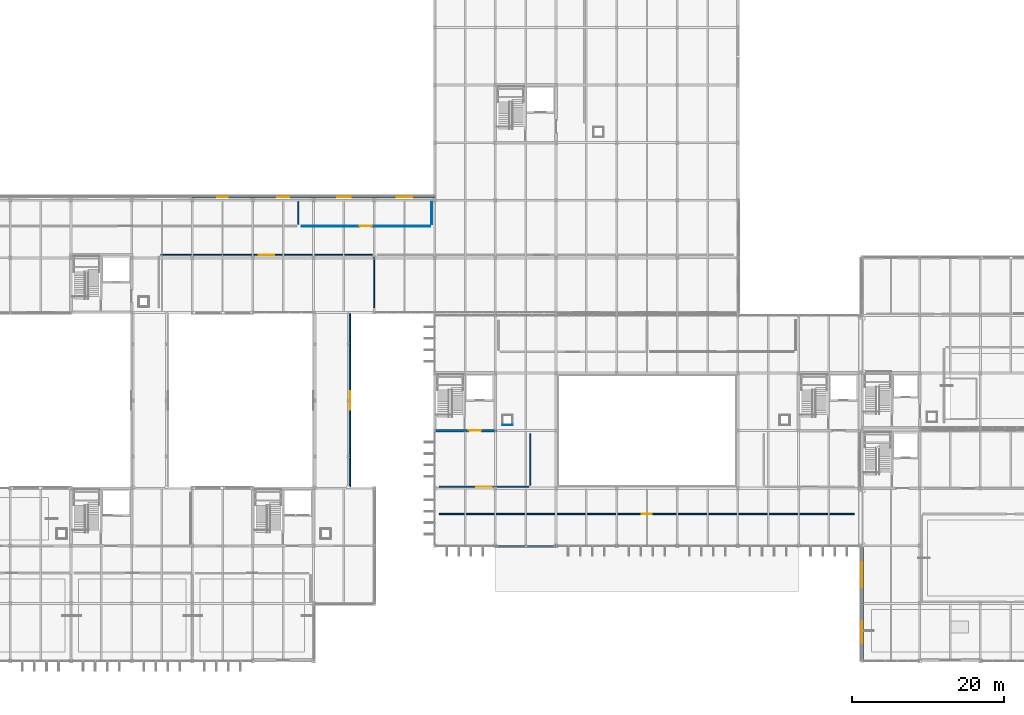
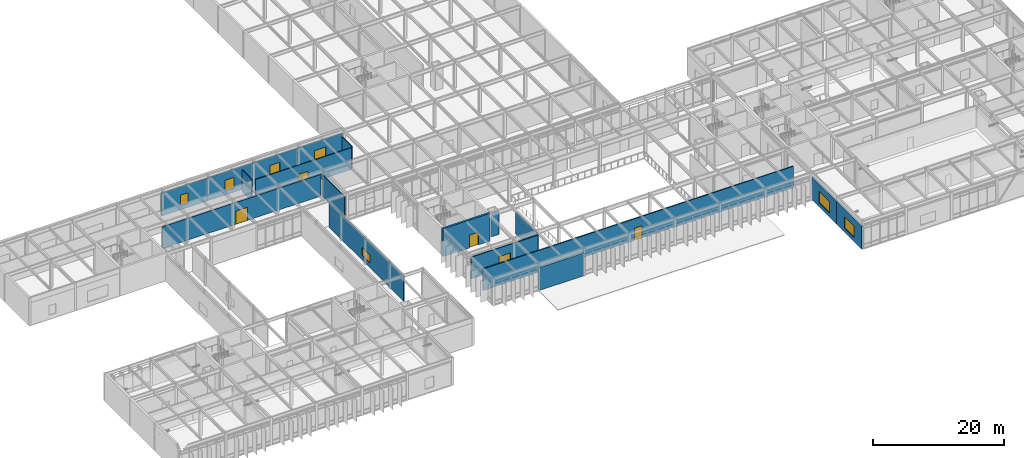
# One storey, part 72 of 94: 18 walls, 7 windows, 5 doors, 12 openings.
"""IFC4 building model written with IfcOpenShell, lengths in metres."""

import ifcopenshell
import ifcopenshell.guid

model = None  # the IFC model being written
_history = None  # IfcOwnerHistory: only IFC2X3 demands one
_inside = {}  # id of a spatial element -> (the spatial element, [elements in it])
_under = {}  # id of a project, library or spatial element -> (it, [spatial elements below it])
_declared = {}  # id of a project -> (the project, [libraries it declares])
_typed = {}  # id of a type object -> (the type object, [elements of that type])
_made_of = {}  # id of a material, layer set ... -> (it, [elements and type objects made of it])


def new_model(schema):
    """Start an empty IFC model of exactly this schema.

    Asked for "IFC4X3", IfcOpenShell would pick the latest addendum, in which some entities
    have other attributes; the version numbers below select the first issue.
    IFC2X3 requires an IfcOwnerHistory on every rooted entity: one is made here for all.
    """
    global model, _history
    if schema == "IFC4X3":
        model = ifcopenshell.file(schema_version=(4, 3, 0, 0))
    else:
        model = ifcopenshell.file(schema=schema)
    _inside.clear()
    _under.clear()
    _declared.clear()
    _typed.clear()
    _made_of.clear()
    _history = None
    if model.schema == "IFC2X3":
        org = make("IfcOrganization", Name="unknown")
        user = make(
            "IfcPersonAndOrganization",
            ThePerson=make("IfcPerson", FamilyName="unknown"),
            TheOrganization=org,
        )
        app = make(
            "IfcApplication",
            ApplicationDeveloper=org,
            Version="unknown",
            ApplicationFullName="unknown",
            ApplicationIdentifier="unknown",
        )
        _history = make(
            "IfcOwnerHistory",
            OwningUser=user,
            OwningApplication=app,
            ChangeAction="ADDED",
            CreationDate=0,
        )
    return model


def make(cls, **values):
    """One entity of the class cls with the attributes given. An attribute that is None is left unset."""
    return model.create_entity(
        cls, **{name: value for name, value in values.items() if value is not None}
    )


def rooted(cls, **values):
    """An entity with a GlobalId (a new one), such as an element, a storey or a relation."""
    return make(cls, GlobalId=ifcopenshell.guid.new(), OwnerHistory=_history, **values)


def si_unit(unit_type, name, prefix=None):
    """IfcSIUnit, for example si_unit("LENGTHUNIT", "METRE", prefix="MILLI")."""
    return make("IfcSIUnit", UnitType=unit_type, Prefix=prefix, Name=name)


def assignment(units):
    """IfcUnitAssignment: the units of a project."""
    return None if units is None else make("IfcUnitAssignment", Units=units)


def point(xyz):
    """IfcCartesianPoint."""
    return None if xyz is None else make("IfcCartesianPoint", Coordinates=xyz)


def direction(xyz):
    """IfcDirection."""
    return None if xyz is None else make("IfcDirection", DirectionRatios=xyz)


def frame(location, z_axis=None, x_axis=None):
    """IfcAxis2Placement3D, a coordinate frame: its origin and axes. An axis left out is left unset."""
    return make(
        "IfcAxis2Placement3D",
        Location=point(location),
        Axis=direction(z_axis),
        RefDirection=direction(x_axis),
    )


def frame_2d(location, x_axis=None):
    """IfcAxis2Placement2D, a coordinate frame in the plane: its origin and x axis."""
    return make(
        "IfcAxis2Placement2D", Location=point(location), RefDirection=direction(x_axis)
    )


def origin():
    """The frame at (0, 0, 0) with its axes left unset."""
    return frame((0.0, 0.0, 0.0))


def place(relative_to, where):
    """IfcLocalPlacement: puts the frame where relative to a parent placement (None: the world)."""
    return make(
        "IfcLocalPlacement", PlacementRelTo=relative_to, RelativePlacement=where
    )


def context(
    kind, dimensions, precision=None, world=None, true_north=None, identifier=None
):
    """IfcGeometricRepresentationContext, for example the 3D "Model" context."""
    return make(
        "IfcGeometricRepresentationContext",
        ContextIdentifier=identifier,
        ContextType=kind,
        CoordinateSpaceDimension=dimensions,
        Precision=precision,
        WorldCoordinateSystem=world,
        TrueNorth=true_north,
    )


def subcontext(parent, identifier, kind, view, scale=None):
    """IfcGeometricRepresentationSubContext, for example "Body" below "Model"."""
    return make(
        "IfcGeometricRepresentationSubContext",
        ContextIdentifier=identifier,
        ContextType=kind,
        ParentContext=parent,
        TargetScale=scale,
        TargetView=view,
    )


def project(units=None, contexts=None):
    """IfcProject with its units and contexts."""
    return rooted(
        "IfcProject",
        Name="project",
        RepresentationContexts=contexts,
        UnitsInContext=assignment(units),
    )


def spatial(cls, under=None, at=None, **own):
    """A site, building, storey or space (cls), placed at a placement, below another one or the project."""
    s = rooted(cls, ObjectPlacement=at, **own)
    if under is not None:
        _under.setdefault(under.id(), (under, []))[1].append(s)
    return s


def profile(cls, at=None, kind="AREA", **sizes):
    """A parametric profile (cls). Its sizes go by their IFC names, for example OverallWidth=200.0."""
    return make(cls, ProfileType=kind, Position=at, **sizes)


def rectangle(**sizes):
    """IfcRectangleProfileDef."""
    return profile("IfcRectangleProfileDef", **sizes)


def extrude(swept, where, along, depth):
    """IfcExtrudedAreaSolid: the profile swept, set in the frame where, extruded along a direction by depth."""
    return make(
        "IfcExtrudedAreaSolid",
        SweptArea=swept,
        Position=where,
        ExtrudedDirection=direction(along),
        Depth=depth,
    )


def shape(context_of_items, identifier, shape_type, items):
    """IfcShapeRepresentation: the items that make up one representation, for example the "Body"."""
    return make(
        "IfcShapeRepresentation",
        ContextOfItems=context_of_items,
        RepresentationIdentifier=identifier,
        RepresentationType=shape_type,
        Items=items,
    )


def material(Name=None, Category=None):
    """IfcMaterial."""
    return make("IfcMaterial", Name=Name, Category=Category)


def layer(
    of_material, thickness, ventilated=None, Name=None, Category=None, Priority=None
):
    """IfcMaterialLayer: one layer of a wall or slab, of a material (None: an air gap)."""
    return make(
        "IfcMaterialLayer",
        Material=of_material,
        LayerThickness=thickness,
        IsVentilated=ventilated,
        Name=Name,
        Category=Category,
        Priority=Priority,
    )


def layer_set(layers, Name=None):
    """IfcMaterialLayerSet."""
    return make("IfcMaterialLayerSet", MaterialLayers=layers, LayerSetName=Name)


def made_of(thing, what):
    """Note that an element or type object is made of a material, layer set ...; save() writes the relation."""
    if what is not None:
        _made_of.setdefault(what.id(), (what, []))[1].append(thing)
    return thing


def type_object(cls, material=None, **own):
    """A type object (cls), such as IfcWallType, which elements share."""
    return made_of(rooted(cls, **own), material)


def element(
    cls,
    number,
    at=None,
    inside=None,
    cuts=None,
    type_object=None,
    material=None,
    context=None,
    identifier="Body",
    shape_type=None,
    held_by="IfcProductDefinitionShape",
    body=None,
    shapes=None,
    **own,
):
    """One element of the class cls, such as IfcWall. Its Tag is "e" and its number.

    at: its placement. inside: the storey or other place that contains it. cuts: it is an
    opening in that element (IfcRelVoidsElement). A single representation is given by context,
    identifier, shape_type and body (its items); several are given by shapes. held_by: the class
    of the entity that holds the representations. save() writes the other relations.
    """
    e = rooted(cls, Tag="e%d" % number, ObjectPlacement=at, **own)
    if body is not None:
        shapes = [shape(context, identifier, shape_type, body)]
    if shapes is not None:
        e.Representation = make(held_by, Representations=shapes)
    if inside is not None:
        _inside.setdefault(inside.id(), (inside, []))[1].append(e)
    if cuts is not None:
        rooted(
            "IfcRelVoidsElement", RelatingBuildingElement=cuts, RelatedOpeningElement=e
        )
    if type_object is not None:
        _typed.setdefault(type_object.id(), (type_object, []))[1].append(e)
    return made_of(e, material)


def fill(opening, filler):
    """IfcRelFillsElement: the door or window that sits in an opening."""
    return rooted(
        "IfcRelFillsElement",
        RelatingOpeningElement=opening,
        RelatedBuildingElement=filler,
    )


def aggregate(whole, parts):
    """IfcRelAggregates: a whole, such as a stair, and the parts it consists of."""
    return rooted("IfcRelAggregates", RelatingObject=whole, RelatedObjects=parts)


def save(model, path):
    """Write the relations noted so far, then the file.

    IfcRelAggregates (storeys below a building ...), IfcRelContainedInSpatialStructure (elements
    in a storey), IfcRelDefinesByType, IfcRelAssociatesMaterial and IfcRelDeclares: one each for
    every whole, place, type object, material and project.
    """
    for whole, parts in _under.values():
        aggregate(whole, parts)
    for where, things in _inside.values():
        rooted(
            "IfcRelContainedInSpatialStructure",
            RelatedElements=things,
            RelatingStructure=where,
        )
    for kind, things in _typed.values():
        rooted("IfcRelDefinesByType", RelatedObjects=things, RelatingType=kind)
    for what, things in _made_of.values():
        rooted("IfcRelAssociatesMaterial", RelatedObjects=things, RelatingMaterial=what)
    for by, libraries in _declared.values():
        rooted("IfcRelDeclares", RelatingContext=by, RelatedDefinitions=libraries)
    model.write(path)


model = new_model("IFC4")

# Units and contexts
model_context = context("Model", 3, precision=1e-05, world=origin(), true_north=direction((0.0, 1.0)))
body_context = subcontext(model_context, "Body", "Model", "MODEL_VIEW")
ifc_project = project(units=[si_unit("LENGTHUNIT", "METRE"), si_unit("AREAUNIT", "SQUARE_METRE"), si_unit("VOLUMEUNIT", "CUBIC_METRE"), si_unit("PLANEANGLEUNIT", "RADIAN"), si_unit("MASSUNIT", "GRAM", prefix="KILO")], contexts=[model_context])

# Site, building, storey
site_placement = place(None, origin())
site = spatial("IfcSite", under=ifc_project, at=site_placement, CompositionType="ELEMENT")
building_placement = place(site_placement, origin())
building = spatial("IfcBuilding", under=site, at=building_placement, Name="Zulena Civic Courthouse", CompositionType="ELEMENT")
storey_placement = place(building_placement, frame((0.0, 0.0, 5.39990234375)))
storey = spatial("IfcBuildingStorey", under=building, at=storey_placement, Name="L01", CompositionType="ELEMENT", Elevation=5.39990234375)

# Wall, opening, window
ifc_material_1 = material(Name="Travertine-cream architectural precast concrete C40/50", Category="masonry")
ifc_layer_1 = layer(ifc_material_1, 0.205078125)
ifc_layer_set_1 = layer_set([ifc_layer_1], Name="Travertine-cream architectural precast concrete C40/50")
wall_type_1 = type_object("IfcWallType", Name="BridgeWall_GlazedScreen_205", PredefinedType="STANDARD", material=ifc_layer_set_1)
wall_1_placement = place(storey_placement, frame((56.800048828125, 45.820068359375, 0.0), z_axis=(0.0, 0.0, 1.0), x_axis=(0.0, -1.0, 0.0)))
wall_1 = element("IfcWall", 1, at=wall_1_placement, inside=storey, type_object=wall_type_1, Name="ewall:bridge:BR-52C:L01:E", PredefinedType="STANDARD", context=body_context, shape_type="SweptSolid", body=[
    extrude(rectangle(XDim=22.840087890625, YDim=0.205078125, at=frame_2d((11.419921875, 0.0))), origin(), (0.0, 0.0, 1.0), 4.6201171875),
])
opening_1_placement = place(wall_1_placement, frame((10.195068359375, 0.0, 0.85009765625)))
opening_1 = element("IfcOpeningElement", 2, at=opening_1_placement, cuts=wall_1, Name="Opening WN27", PredefinedType="OPENING", context=body_context, shape_type="SweptSolid", body=[
    extrude(rectangle(XDim=2.449951171875, YDim=1.550048828125, at=frame_2d((1.22509765625, 0.77490234375))), frame((0.0, 0.112548828125, 0.0), z_axis=(0.0, -1.0, 0.0), x_axis=(1.0, 0.0, 0.0)), (0.0, 0.0, 1.0), 0.22509765625),
])
ifc_material_2 = material(Name="Double-silver low-E laminated solar-control glass", Category="glass")
window_type_1 = type_object("IfcWindowType", Name="Win_2450x1550", PartitioningType="DOUBLE_PANEL_VERTICAL", PredefinedType="WINDOW", material=ifc_material_2)
window_1_placement = place(opening_1_placement, origin())
window_1 = element("IfcWindow", 3, at=window_1_placement, inside=storey, type_object=window_type_1, Name="win:bridge:BR-52C:L01:E", OverallHeight=1.550048828125, OverallWidth=2.449951171875, PartitioningType="SINGLE_PANEL", PredefinedType="WINDOW", context=body_context, shape_type="SweptSolid", body=[
    extrude(rectangle(XDim=2.449951171875, YDim=1.550048828125, at=frame_2d((1.22509765625, 0.77490234375))), frame((0.0, 0.030029296875, 0.0), z_axis=(0.0, -1.0, 0.0), x_axis=(1.0, 0.0, 0.0)), (0.0, 0.0, 1.0), 0.06005859375),
])
fill(opening_1, window_1)

# Wall, opening, door
ifc_material_3 = material(Name="Concrete C40/50", Category="concrete")
ifc_layer_2 = layer(ifc_material_3, 0.35009765625)
ifc_layer_set_2 = layer_set([ifc_layer_2], Name="Concrete C40/50")
wall_type_2 = type_object("IfcWallType", Name="CoreShearWall_RC350", PredefinedType="SHEAR", material=ifc_layer_set_2)
wall_2_placement = place(storey_placement, frame((67.824951171875, 30.39990234375, 0.0), z_axis=(0.0, 0.0, 1.0), x_axis=(1.0, 0.0, 0.0)))
wall_2 = element("IfcWall", 4, at=wall_2_placement, inside=storey, type_object=wall_type_2, Name="cwall:K4A:L01:S", PredefinedType="SHEAR", context=body_context, shape_type="SweptSolid", body=[
    extrude(rectangle(XDim=8.35009765625, YDim=0.35009765625, at=frame_2d((4.175048828125, 0.0))), origin(), (0.0, 0.0, 1.0), 5.190185546875),
])
opening_2_placement = place(wall_2_placement, frame((4.68505859375, 0.0, 0.0)))
opening_2 = element("IfcOpeningElement", 5, at=opening_2_placement, cuts=wall_2, Name="Opening ID04", PredefinedType="OPENING", context=body_context, shape_type="SweptSolid", body=[
    extrude(rectangle(XDim=1.60009765625, YDim=2.35009765625, at=frame_2d((0.800048828125, 1.175048828125))), frame((0.0, 0.18505859375, 0.0), z_axis=(0.0, -1.0, 0.0), x_axis=(1.0, 0.0, 0.0)), (0.0, 0.0, 1.0), 0.3701171875),
])
ifc_material_4 = material(Name="Solid-core acoustic hardwood timber", Category="wood")
door_type_1 = type_object("IfcDoorType", Name="IntDoor_CourtPublic_1600x2350", OperationType="DOUBLE_DOOR_SINGLE_SWING", PredefinedType="DOOR", material=ifc_material_4)
door_1_placement = place(opening_2_placement, origin())
door_1 = element("IfcDoor", 6, at=door_1_placement, inside=storey, type_object=door_type_1, Name="door:corelob:K4A:L01", OperationType="DOUBLE_DOOR_SINGLE_SWING", OverallHeight=2.35009765625, OverallWidth=1.60009765625, PredefinedType="DOOR", context=body_context, shape_type="SweptSolid", body=[
    extrude(rectangle(XDim=1.60009765625, YDim=2.35009765625, at=frame_2d((0.800048828125, 1.175048828125))), frame((0.0, 0.02490234375, 0.0), z_axis=(0.0, -1.0, 0.0), x_axis=(1.0, 0.0, 0.0)), (0.0, 0.0, 1.0), 0.050048828125),
])
fill(opening_2, door_1)

# Wall, opening, window
ifc_material_5 = material(Name="Buff architectural precast concrete C40/50", Category="concrete")
ifc_layer_3 = layer(ifc_material_5, 0.264892578125)
ifc_layer_set_3 = layer_set([ifc_layer_3], Name="Buff architectural precast concrete C40/50")
wall_type_3 = type_object("IfcWallType", Name="ExtWall_BuffPrecast_265", PredefinedType="STANDARD", material=ifc_layer_set_3)
wall_3_placement = place(storey_placement, frame((35.97998046875, 61.199951171875, 0.0), z_axis=(0.0, 0.0, 1.0), x_axis=(1.0, 0.0, 0.0)))
wall_3 = element("IfcWall", 7, at=wall_3_placement, inside=storey, type_object=wall_type_3, Name="ewall:V5:L01:1:4", PredefinedType="STANDARD", context=body_context, shape_type="SweptSolid", body=[
    extrude(rectangle(XDim=8.0400390625, YDim=0.264892578125, at=frame_2d((4.02001953125, 0.0))), origin(), (0.0, 0.0, 1.0), 4.25),
])
opening_3_placement = place(wall_3_placement, frame((3.320068359375, 0.0, 0.75)))
opening_3 = element("IfcOpeningElement", 8, at=opening_3_placement, cuts=wall_3, Name="Opening WN01", PredefinedType="OPENING", context=body_context, shape_type="SweptSolid", body=[
    extrude(rectangle(XDim=1.39990234375, YDim=2.0, at=frame_2d((0.699951171875, 1.0))), frame((0.0, 0.142333984375, 0.0), z_axis=(0.0, -1.0, 0.0), x_axis=(1.0, 0.0, 0.0)), (0.0, 0.0, 1.0), 0.284912109375),
])
window_type_2 = type_object("IfcWindowType", Name="Win_1400x2000", PartitioningType="SINGLE_PANEL", PredefinedType="WINDOW", material=ifc_material_2)
window_2_placement = place(opening_3_placement, origin())
window_2 = element("IfcWindow", 9, at=window_2_placement, inside=storey, type_object=window_type_2, Name="win:V5:L01:1:4", OverallHeight=2.0, OverallWidth=1.39990234375, PartitioningType="SINGLE_PANEL", PredefinedType="WINDOW", context=body_context, shape_type="SweptSolid", body=[
    extrude(rectangle(XDim=1.39990234375, YDim=2.0, at=frame_2d((0.699951171875, 1.0))), frame((0.0, 0.030029296875, 0.0), z_axis=(0.0, -1.0, 0.0), x_axis=(1.0, 0.0, 0.0)), (0.0, 0.0, 1.0), 0.06005859375),
])
fill(opening_3, window_2)

wall_4_placement = place(storey_placement, frame((43.97998046875, 61.199951171875, 0.0), z_axis=(0.0, 0.0, 1.0), x_axis=(1.0, 0.0, 0.0)))
wall_4 = element("IfcWall", 10, at=wall_4_placement, inside=storey, type_object=wall_type_3, Name="ewall:V5:L01:1:5", PredefinedType="STANDARD", context=body_context, shape_type="SweptSolid", body=[
    extrude(rectangle(XDim=8.0400390625, YDim=0.264892578125, at=frame_2d((4.02001953125, 0.0))), origin(), (0.0, 0.0, 1.0), 4.25),
])
opening_4_placement = place(wall_4_placement, frame((3.219970703125, 0.0, 0.75)))
opening_4 = element("IfcOpeningElement", 11, at=opening_4_placement, cuts=wall_4, Name="Opening WN02", PredefinedType="OPENING", context=body_context, shape_type="SweptSolid", body=[
    extrude(rectangle(XDim=1.60009765625, YDim=2.0, at=frame_2d((0.800048828125, 1.0))), frame((0.0, 0.142333984375, 0.0), z_axis=(0.0, -1.0, 0.0), x_axis=(1.0, 0.0, 0.0)), (0.0, 0.0, 1.0), 0.284912109375),
])
window_type_3 = type_object("IfcWindowType", Name="Win_1600x2000", PartitioningType="SINGLE_PANEL", PredefinedType="WINDOW", material=ifc_material_2)
window_3_placement = place(opening_4_placement, origin())
window_3 = element("IfcWindow", 12, at=window_3_placement, inside=storey, type_object=window_type_3, Name="win:V5:L01:1:5", OverallHeight=2.0, OverallWidth=1.60009765625, PartitioningType="SINGLE_PANEL", PredefinedType="WINDOW", context=body_context, shape_type="SweptSolid", body=[
    extrude(rectangle(XDim=1.60009765625, YDim=2.0, at=frame_2d((0.800048828125, 1.0))), frame((0.0, 0.030029296875, 0.0), z_axis=(0.0, -1.0, 0.0), x_axis=(1.0, 0.0, 0.0)), (0.0, 0.0, 1.0), 0.06005859375),
])
fill(opening_4, window_3)

wall_5_placement = place(storey_placement, frame((51.97998046875, 61.199951171875, 0.0), z_axis=(0.0, 0.0, 1.0), x_axis=(1.0, 0.0, 0.0)))
wall_5 = element("IfcWall", 13, at=wall_5_placement, inside=storey, type_object=wall_type_3, Name="ewall:V5:L01:1:6", PredefinedType="STANDARD", context=body_context, shape_type="SweptSolid", body=[
    extrude(rectangle(XDim=8.0400390625, YDim=0.264892578125, at=frame_2d((4.02001953125, 0.0))), origin(), (0.0, 0.0, 1.0), 4.25),
])
opening_5_placement = place(wall_5_placement, frame((3.1201171875, 0.0, 0.75)))
opening_5 = element("IfcOpeningElement", 14, at=opening_5_placement, cuts=wall_5, Name="Opening WN03", PredefinedType="OPENING", context=body_context, shape_type="SweptSolid", body=[
    extrude(rectangle(XDim=1.800048828125, YDim=2.0, at=frame_2d((0.89990234375, 1.0))), frame((0.0, 0.142333984375, 0.0), z_axis=(0.0, -1.0, 0.0), x_axis=(1.0, 0.0, 0.0)), (0.0, 0.0, 1.0), 0.284912109375),
])
window_type_4 = type_object("IfcWindowType", Name="Win_1800x2000", PartitioningType="DOUBLE_PANEL_VERTICAL", PredefinedType="WINDOW", material=ifc_material_2)
window_4_placement = place(opening_5_placement, origin())
window_4 = element("IfcWindow", 15, at=window_4_placement, inside=storey, type_object=window_type_4, Name="win:V5:L01:1:6", OverallHeight=2.0, OverallWidth=1.800048828125, PartitioningType="SINGLE_PANEL", PredefinedType="WINDOW", context=body_context, shape_type="SweptSolid", body=[
    extrude(rectangle(XDim=1.800048828125, YDim=2.0, at=frame_2d((0.89990234375, 1.0))), frame((0.0, 0.030029296875, 0.0), z_axis=(0.0, -1.0, 0.0), x_axis=(1.0, 0.0, 0.0)), (0.0, 0.0, 1.0), 0.06005859375),
])
fill(opening_5, window_4)

wall_6_placement = place(storey_placement, frame((59.97998046875, 61.199951171875, 0.0), z_axis=(0.0, 0.0, 1.0), x_axis=(1.0, 0.0, 0.0)))
wall_6 = element("IfcWall", 16, at=wall_6_placement, inside=storey, type_object=wall_type_3, Name="ewall:V5:L01:1:7", PredefinedType="STANDARD", context=body_context, shape_type="SweptSolid", body=[
    extrude(rectangle(XDim=8.0400390625, YDim=0.264892578125, at=frame_2d((4.02001953125, 0.0))), origin(), (0.0, 0.0, 1.0), 4.25),
])
opening_6_placement = place(wall_6_placement, frame((3.02001953125, 0.0, 0.75)))
opening_6 = element("IfcOpeningElement", 17, at=opening_6_placement, cuts=wall_6, Name="Opening WN04", PredefinedType="OPENING", context=body_context, shape_type="SweptSolid", body=[
    extrude(rectangle(XDim=2.0, YDim=2.0, at=frame_2d((1.0, 1.0))), frame((0.0, 0.142333984375, 0.0), z_axis=(0.0, -1.0, 0.0), x_axis=(1.0, 0.0, 0.0)), (0.0, 0.0, 1.0), 0.284912109375),
])
window_type_5 = type_object("IfcWindowType", Name="Win_2000x2000", PartitioningType="DOUBLE_PANEL_VERTICAL", PredefinedType="WINDOW", material=ifc_material_2)
window_5_placement = place(opening_6_placement, origin())
window_5 = element("IfcWindow", 18, at=window_5_placement, inside=storey, type_object=window_type_5, Name="win:V5:L01:1:7", OverallHeight=2.0, OverallWidth=2.0, PartitioningType="SINGLE_PANEL", PredefinedType="WINDOW", context=body_context, shape_type="SweptSolid", body=[
    extrude(rectangle(XDim=2.0, YDim=2.0, at=frame_2d((1.0, 1.0))), frame((0.0, 0.030029296875, 0.0), z_axis=(0.0, -1.0, 0.0), x_axis=(1.0, 0.0, 0.0)), (0.0, 0.0, 1.0), 0.06005859375),
])
fill(opening_6, window_5)

ifc_material_6 = material(Name="Terracotta-rose architectural precast concrete C40/50", Category="masonry")
ifc_layer_4 = layer(ifc_material_6, 0.320068359375)
ifc_layer_set_4 = layer_set([ifc_layer_4], Name="Terracotta-rose architectural precast concrete C40/50")
wall_type_4 = type_object("IfcWallType", Name="ExtWall_TerraPrecast_320", PredefinedType="STANDARD", material=ifc_layer_set_4)
wall_7_placement = place(storey_placement, frame((124.39990234375, -0.02001953125, 0.0), z_axis=(0.0, 0.0, 1.0), x_axis=(0.0, 1.0, 0.0)))
wall_7 = element("IfcWall", 19, at=wall_7_placement, inside=storey, type_object=wall_type_4, Name="ewall:V1:L01:0:0", PredefinedType="STANDARD", context=body_context, shape_type="SweptSolid", body=[
    extrude(rectangle(XDim=7.64013671875, YDim=0.320068359375, at=frame_2d((3.820068359375, 0.0))), origin(), (0.0, 0.0, 1.0), 4.25),
])
opening_7_placement = place(wall_7_placement, frame((2.3701171875, 0.0, 0.75)))
opening_7 = element("IfcOpeningElement", 20, at=opening_7_placement, cuts=wall_7, Name="Opening WN13", PredefinedType="OPENING", context=body_context, shape_type="SweptSolid", body=[
    extrude(rectangle(XDim=2.89990234375, YDim=2.14990234375, at=frame_2d((1.449951171875, 1.074951171875))), frame((0.0, 0.169921875, 0.0), z_axis=(0.0, -1.0, 0.0), x_axis=(1.0, 0.0, 0.0)), (0.0, 0.0, 1.0), 0.340087890625),
])
window_type_6 = type_object("IfcWindowType", Name="Win_2900x2150", PartitioningType="DOUBLE_PANEL_VERTICAL", PredefinedType="WINDOW", material=ifc_material_2)
window_6_placement = place(opening_7_placement, origin())
window_6 = element("IfcWindow", 21, at=window_6_placement, inside=storey, type_object=window_type_6, Name="win:V1:L01:0:0", OverallHeight=2.14990234375, OverallWidth=2.89990234375, PartitioningType="SINGLE_PANEL", PredefinedType="WINDOW", context=body_context, shape_type="SweptSolid", body=[
    extrude(rectangle(XDim=2.89990234375, YDim=2.14990234375, at=frame_2d((1.449951171875, 1.074951171875))), frame((0.0, 0.030029296875, 0.0), z_axis=(0.0, -1.0, 0.0), x_axis=(1.0, 0.0, 0.0)), (0.0, 0.0, 1.0), 0.06005859375),
])
fill(opening_7, window_6)

wall_8_placement = place(storey_placement, frame((124.39990234375, 7.580078125, 0.0), z_axis=(0.0, 0.0, 1.0), x_axis=(0.0, 1.0, 0.0)))
wall_8 = element("IfcWall", 22, at=wall_8_placement, inside=storey, type_object=wall_type_4, Name="ewall:V1:L01:0:1", PredefinedType="STANDARD", context=body_context, shape_type="SweptSolid", body=[
    extrude(rectangle(XDim=7.639892578125, YDim=0.320068359375, at=frame_2d((3.81982421875, 0.0))), origin(), (0.0, 0.0, 1.0), 4.25),
])
opening_8_placement = place(wall_8_placement, frame((2.169921875, 0.0, 0.75)))
opening_8 = element("IfcOpeningElement", 23, at=opening_8_placement, cuts=wall_8, Name="Opening WN14", PredefinedType="OPENING", context=body_context, shape_type="SweptSolid", body=[
    extrude(rectangle(XDim=3.300048828125, YDim=2.14990234375, at=frame_2d((1.64990234375, 1.074951171875))), frame((0.0, 0.169921875, 0.0), z_axis=(0.0, -1.0, 0.0), x_axis=(1.0, 0.0, 0.0)), (0.0, 0.0, 1.0), 0.340087890625),
])
window_type_7 = type_object("IfcWindowType", Name="Win_3300x2150", PartitioningType="DOUBLE_PANEL_VERTICAL", PredefinedType="WINDOW", material=ifc_material_2)
window_7_placement = place(opening_8_placement, origin())
window_7 = element("IfcWindow", 24, at=window_7_placement, inside=storey, type_object=window_type_7, Name="win:V1:L01:0:1", OverallHeight=2.14990234375, OverallWidth=3.300048828125, PartitioningType="SINGLE_PANEL", PredefinedType="WINDOW", context=body_context, shape_type="SweptSolid", body=[
    extrude(rectangle(XDim=3.300048828125, YDim=2.14990234375, at=frame_2d((1.64990234375, 1.074951171875))), frame((0.0, 0.030029296875, 0.0), z_axis=(0.0, -1.0, 0.0), x_axis=(1.0, 0.0, 0.0)), (0.0, 0.0, 1.0), 0.06005859375),
])
fill(opening_8, window_7)

# Wall
ifc_layer_5 = layer(ifc_material_1, 0.280029296875)
ifc_layer_set_5 = layer_set([ifc_layer_5], Name="Travertine-cream architectural precast concrete C40/50")
wall_type_5 = type_object("IfcWallType", Name="ExtWall_TravPrecast_280", PredefinedType="STANDARD", material=ifc_layer_set_5)
wall_9_placement = place(storey_placement, frame((84.02001953125, 15.199951171875, 0.0), z_axis=(0.0, 0.0, 1.0), x_axis=(-1.0, 0.0, 0.0)))
element("IfcWall", 25, at=wall_9_placement, inside=storey, type_object=wall_type_5, Name="ewall:V4:L01:3:5", PredefinedType="STANDARD", context=body_context, shape_type="SweptSolid", body=[
    extrude(rectangle(XDim=8.0400390625, YDim=0.280029296875, at=frame_2d((4.02001953125, 0.0))), origin(), (0.0, 0.0, 1.0), 4.25),
])

# Wall, opening, door
ifc_material_7 = material(Name="Acoustic fire-rated gypsum board assembly", Category="masonry")
ifc_layer_6 = layer(ifc_material_7, 0.14599609375)
ifc_layer_set_6 = layer_set([ifc_layer_6], Name="Acoustic fire-rated gypsum board assembly")
wall_type_6 = type_object("IfcWallType", Name="PartWall_Chambers_146", PredefinedType="PARTITIONING", material=ifc_layer_set_6)
wall_10_placement = place(storey_placement, frame((31.820068359375, 53.60009765625, 0.0), z_axis=(0.0, 0.0, 1.0), x_axis=(1.0, 0.0, 0.0)))
wall_10 = element("IfcWall", 26, at=wall_10_placement, inside=storey, type_object=wall_type_6, Name="pwall:L01:381:0", PredefinedType="PARTITIONING", context=body_context, shape_type="SweptSolid", body=[
    extrude(rectangle(XDim=27.9599609375, YDim=0.14599609375, at=frame_2d((13.97998046875, 0.0))), origin(), (0.0, 0.0, 1.0), 4.050048828125),
])
opening_9_placement = place(wall_10_placement, frame((12.955078125, 0.0, 0.0)))
opening_9 = element("IfcOpeningElement", 27, at=opening_9_placement, cuts=wall_10, Name="Opening ID01", PredefinedType="OPENING", context=body_context, shape_type="SweptSolid", body=[
    extrude(rectangle(XDim=2.050048828125, YDim=2.449951171875, at=frame_2d((1.02490234375, 1.22509765625))), frame((0.0, 0.0830078125, 0.0), z_axis=(0.0, -1.0, 0.0), x_axis=(1.0, 0.0, 0.0)), (0.0, 0.0, 1.0), 0.166015625),
])
door_type_2 = type_object("IfcDoorType", Name="IntDoor_Ceremonial_2050x2450", OperationType="DOUBLE_DOOR_SINGLE_SWING", PredefinedType="DOOR", material=ifc_material_4)
door_2_placement = place(opening_9_placement, origin())
door_2 = element("IfcDoor", 28, at=door_2_placement, inside=storey, type_object=door_type_2, Name="door:rm:L01:381", OperationType="DOUBLE_DOOR_SINGLE_SWING", OverallHeight=2.449951171875, OverallWidth=2.050048828125, PredefinedType="DOOR", context=body_context, shape_type="SweptSolid", body=[
    extrude(rectangle(XDim=2.050048828125, YDim=2.449951171875, at=frame_2d((1.02490234375, 1.22509765625))), frame((0.0, 0.02490234375, 0.0), z_axis=(0.0, -1.0, 0.0), x_axis=(1.0, 0.0, 0.0)), (0.0, 0.0, 1.0), 0.050048828125),
])
fill(opening_9, door_2)

# Wall
wall_11_placement = place(storey_placement, frame((60.0, 46.6201171875, 0.0), z_axis=(0.0, 0.0, 1.0), x_axis=(0.0, 1.0, 0.0)))
element("IfcWall", 29, at=wall_11_placement, inside=storey, type_object=wall_type_6, Name="pwall:L01:381:2", PredefinedType="PARTITIONING", context=body_context, shape_type="SweptSolid", body=[
    extrude(rectangle(XDim=6.759765625, YDim=0.14599609375, at=frame_2d((3.3798828125, 0.0))), origin(), (0.0, 0.0, 1.0), 4.050048828125),
])

# Wall, opening, door
ifc_layer_7 = layer(ifc_material_7, 0.177978515625)
ifc_layer_set_7 = layer_set([ifc_layer_7], Name="Acoustic fire-rated gypsum board assembly")
wall_type_7 = type_object("IfcWallType", Name="PartWall_Corridor_178", PredefinedType="PARTITIONING", material=ifc_layer_set_7)
wall_12_placement = place(storey_placement, frame((68.6201171875, 19.39990234375, 0.0), z_axis=(0.0, 0.0, 1.0), x_axis=(1.0, 0.0, 0.0)))
wall_12 = element("IfcWall", 30, at=wall_12_placement, inside=storey, type_object=wall_type_7, Name="pwall:L01:237:0", PredefinedType="PARTITIONING", context=body_context, shape_type="SweptSolid", body=[
    extrude(rectangle(XDim=54.759765625, YDim=0.177978515625, at=frame_2d((27.3798828125, 0.0))), origin(), (0.0, 0.0, 1.0), 4.050048828125),
])
opening_10_placement = place(wall_12_placement, frame((26.719970703125, 0.0, 0.0)))
opening_10 = element("IfcOpeningElement", 31, at=opening_10_placement, cuts=wall_12, Name="Opening ID30", PredefinedType="OPENING", context=body_context, shape_type="SweptSolid", body=[
    extrude(rectangle(XDim=1.320068359375, YDim=2.300048828125, at=frame_2d((0.66015625, 1.14990234375))), frame((0.0, 0.098876953125, 0.0), z_axis=(0.0, -1.0, 0.0), x_axis=(1.0, 0.0, 0.0)), (0.0, 0.0, 1.0), 0.197998046875),
])
door_type_3 = type_object("IfcDoorType", Name="IntDoor_Conference_1320x2300", OperationType="NOTDEFINED", PredefinedType="DOOR", material=ifc_material_4)
door_3_placement = place(opening_10_placement, origin())
door_3 = element("IfcDoor", 32, at=door_3_placement, inside=storey, type_object=door_type_3, Name="door:rm:L01:237", OperationType="SINGLE_SWING_LEFT", OverallHeight=2.300048828125, OverallWidth=1.320068359375, PredefinedType="DOOR", context=body_context, shape_type="SweptSolid", body=[
    extrude(rectangle(XDim=1.320068359375, YDim=2.300048828125, at=frame_2d((0.66015625, 1.14990234375))), frame((0.0, 0.02490234375, 0.0), z_axis=(0.0, -1.0, 0.0), x_axis=(1.0, 0.0, 0.0)), (0.0, 0.0, 1.0), 0.050048828125),
])
fill(opening_10, door_3)

wall_13_placement = place(storey_placement, frame((68.6201171875, 23.0, 0.0), z_axis=(0.0, 0.0, 1.0), x_axis=(1.0, 0.0, 0.0)))
wall_13 = element("IfcWall", 33, at=wall_13_placement, inside=storey, type_object=wall_type_7, Name="pwall:L01:238:0", PredefinedType="PARTITIONING", context=body_context, shape_type="SweptSolid", body=[
    extrude(rectangle(XDim=11.759765625, YDim=0.177978515625, at=frame_2d((5.8798828125, 0.0))), origin(), (0.0, 0.0, 1.0), 4.050048828125),
])
opening_11_placement = place(wall_13_placement, frame((4.85498046875, 0.0, 0.0)))
opening_11 = element("IfcOpeningElement", 34, at=opening_11_placement, cuts=wall_13, Name="Opening ID01", PredefinedType="OPENING", context=body_context, shape_type="SweptSolid", body=[
    extrude(rectangle(XDim=2.050048828125, YDim=2.449951171875, at=frame_2d((1.02490234375, 1.22509765625))), frame((0.0, 0.098876953125, 0.0), z_axis=(0.0, -1.0, 0.0), x_axis=(1.0, 0.0, 0.0)), (0.0, 0.0, 1.0), 0.197998046875),
])
door_4_placement = place(opening_11_placement, origin())
door_4 = element("IfcDoor", 35, at=door_4_placement, inside=storey, type_object=door_type_2, Name="door:rm:L01:238", OperationType="DOUBLE_DOOR_SINGLE_SWING", OverallHeight=2.449951171875, OverallWidth=2.050048828125, PredefinedType="DOOR", context=body_context, shape_type="SweptSolid", body=[
    extrude(rectangle(XDim=2.050048828125, YDim=2.449951171875, at=frame_2d((1.02490234375, 1.22509765625))), frame((0.0, 0.02490234375, 0.0), z_axis=(0.0, -1.0, 0.0), x_axis=(1.0, 0.0, 0.0)), (0.0, 0.0, 1.0), 0.050048828125),
])
fill(opening_11, door_4)

# Walls
wall_14_placement = place(storey_placement, frame((80.60009765625, 23.219970703125, 0.0), z_axis=(0.0, 0.0, 1.0), x_axis=(0.0, 1.0, 0.0)))
element("IfcWall", 36, at=wall_14_placement, inside=storey, type_object=wall_type_7, Name="pwall:L01:238:1", PredefinedType="PARTITIONING", context=body_context, shape_type="SweptSolid", body=[
    extrude(rectangle(XDim=6.760009765625, YDim=0.177978515625, at=frame_2d((3.3798828125, 0.0))), origin(), (0.0, 0.0, 1.0), 4.050048828125),
])
ifc_layer_8 = layer(ifc_material_7, 0.162109375)
ifc_layer_set_8 = layer_set([ifc_layer_8], Name="Acoustic fire-rated gypsum board assembly")
wall_type_8 = type_object("IfcWallType", Name="PartWall_Jury_162", PredefinedType="PARTITIONING", material=ifc_layer_set_8)
wall_15_placement = place(storey_placement, frame((50.0, 57.6201171875, 0.0), z_axis=(0.0, 0.0, 1.0), x_axis=(0.0, 1.0, 0.0)))
element("IfcWall", 37, at=wall_15_placement, inside=storey, type_object=wall_type_8, Name="pwall:L01:383:1", PredefinedType="PARTITIONING", context=body_context, shape_type="SweptSolid", body=[
    extrude(rectangle(XDim=2.9599609375, YDim=0.162109375, at=frame_2d((1.47998046875, 0.0))), origin(), (0.0, 0.0, 1.0), 4.050048828125),
])
ifc_material_8 = material(Name="Insulated blockwork masonry ASTM C90", Category="masonry")
ifc_layer_9 = layer(ifc_material_8, 0.114990234375)
ifc_layer_set_9 = layer_set([ifc_layer_9], Name="Insulated blockwork masonry ASTM C90")
wall_type_9 = type_object("IfcWallType", Name="PartWall_Riser_115", PredefinedType="PARTITIONING", material=ifc_layer_set_9)
wall_16_placement = place(storey_placement, frame((76.93994140625, 31.139892578125, 0.0), z_axis=(0.0, 0.0, 1.0), x_axis=(1.0, 0.0, 0.0)))
element("IfcWall", 38, at=wall_16_placement, inside=storey, type_object=wall_type_9, Name="riser:RS-V4W:L01:0", PredefinedType="PARTITIONING", context=body_context, shape_type="SweptSolid", body=[
    extrude(rectangle(XDim=1.320068359375, YDim=0.114990234375, at=frame_2d((0.66015625, 0.0))), origin(), (0.0, 0.0, 1.0), 4.35009765625),
])

# Wall, opening, door
ifc_layer_10 = layer(ifc_material_8, 0.1279296875)
ifc_layer_set_10 = layer_set([ifc_layer_10], Name="Insulated blockwork masonry ASTM C90")
wall_type_10 = type_object("IfcWallType", Name="PartWall_WetRoom_128", PredefinedType="PARTITIONING", material=ifc_layer_set_10)
wall_17_placement = place(storey_placement, frame((50.419921875, 57.39990234375, 0.0), z_axis=(0.0, 0.0, 1.0), x_axis=(1.0, 0.0, 0.0)))
wall_17 = element("IfcWall", 39, at=wall_17_placement, inside=storey, type_object=wall_type_10, Name="pwall:L01:384:0", PredefinedType="PARTITIONING", context=body_context, shape_type="SweptSolid", body=[
    extrude(rectangle(XDim=16.9599609375, YDim=0.1279296875, at=frame_2d((8.47998046875, 0.0))), origin(), (0.0, 0.0, 1.0), 4.050048828125),
])
opening_12_placement = place(wall_17_placement, frame((7.679931640625, 0.0, 0.0)))
opening_12 = element("IfcOpeningElement", 40, at=opening_12_placement, cuts=wall_17, Name="Opening ID04", PredefinedType="OPENING", context=body_context, shape_type="SweptSolid", body=[
    extrude(rectangle(XDim=1.60009765625, YDim=2.35009765625, at=frame_2d((0.800048828125, 1.175048828125))), frame((0.0, 0.073974609375, 0.0), z_axis=(0.0, -1.0, 0.0), x_axis=(1.0, 0.0, 0.0)), (0.0, 0.0, 1.0), 0.14794921875),
])
door_5_placement = place(opening_12_placement, origin())
door_5 = element("IfcDoor", 41, at=door_5_placement, inside=storey, type_object=door_type_1, Name="door:rm:L01:384", OperationType="DOUBLE_DOOR_SINGLE_SWING", OverallHeight=2.35009765625, OverallWidth=1.60009765625, PredefinedType="DOOR", context=body_context, shape_type="SweptSolid", body=[
    extrude(rectangle(XDim=1.60009765625, YDim=2.35009765625, at=frame_2d((0.800048828125, 1.175048828125))), frame((0.0, 0.02490234375, 0.0), z_axis=(0.0, -1.0, 0.0), x_axis=(1.0, 0.0, 0.0)), (0.0, 0.0, 1.0), 0.050048828125),
])
fill(opening_12, door_5)

# Wall
wall_18_placement = place(storey_placement, frame((67.60009765625, 57.6201171875, 0.0), z_axis=(0.0, 0.0, 1.0), x_axis=(0.0, 1.0, 0.0)))
element("IfcWall", 42, at=wall_18_placement, inside=storey, type_object=wall_type_10, Name="pwall:L01:384:1", PredefinedType="PARTITIONING", context=body_context, shape_type="SweptSolid", body=[
    extrude(rectangle(XDim=2.9599609375, YDim=0.1279296875, at=frame_2d((1.47998046875, 0.0))), origin(), (0.0, 0.0, 1.0), 4.050048828125),
])

save(model, "model.ifc")
